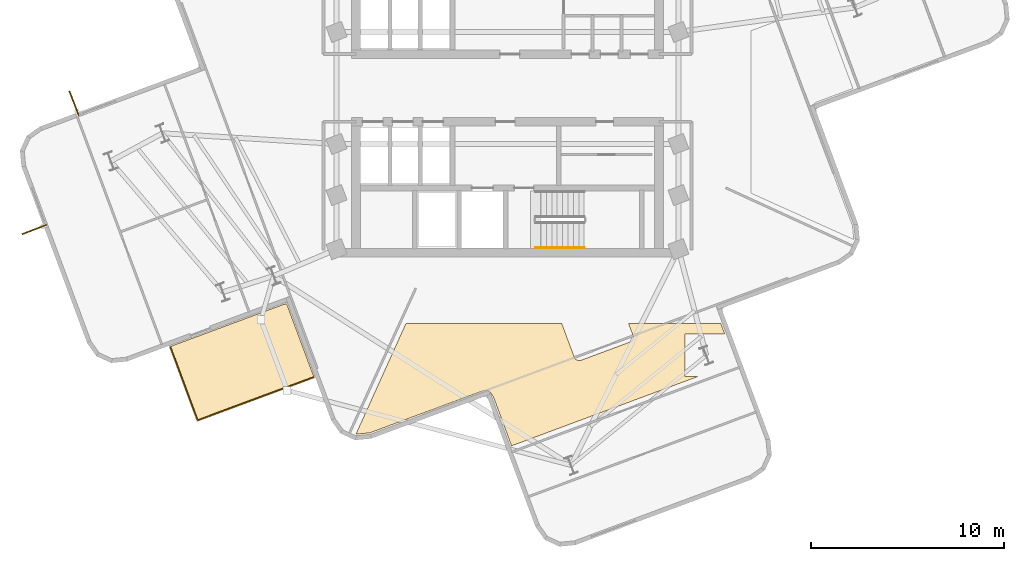
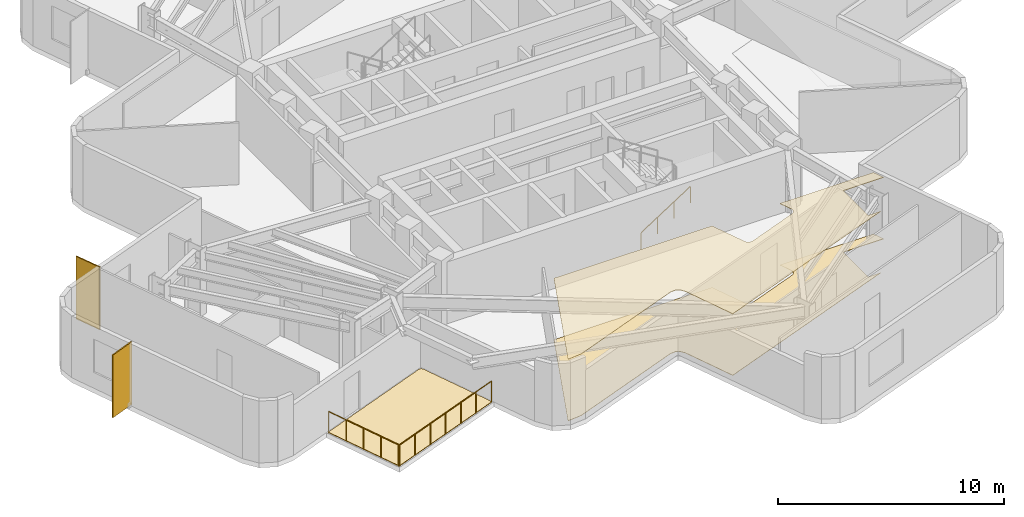
# One storey, part 6 of 8: 3 coverings, 3 railings, 2 shading devices.
"""IFC4 building model written with IfcOpenShell, lengths in metres."""

from ifc_helpers import new_model, si_unit, direction, frame, origin, origin_2d, place, context, subcontext, project, spatial, polyline, rectangle, circle, outline, extrude, material, layer, layer_set, type_object, element, save


model = new_model("IFC4")

# Units and contexts
model_context = context("Model", 3, precision=1e-05, world=origin(), true_north=direction((0.0, 1.0)))
body_context = subcontext(model_context, "Body", "Model", "MODEL_VIEW")
ifc_project = project(units=[si_unit("LENGTHUNIT", "METRE"), si_unit("AREAUNIT", "SQUARE_METRE"), si_unit("VOLUMEUNIT", "CUBIC_METRE"), si_unit("PLANEANGLEUNIT", "RADIAN"), si_unit("MASSUNIT", "GRAM", prefix="KILO")], contexts=[model_context])

# Site, building, storey
site_placement = place(None, origin())
site = spatial("IfcSite", under=ifc_project, at=site_placement, CompositionType="ELEMENT")
building_placement = place(site_placement, origin())
building = spatial("IfcBuilding", under=site, at=building_placement, Name="Solmarez Civic Tower", CompositionType="ELEMENT")
storey_placement = place(building_placement, frame((0.0, 0.0, 166.679931640625)))
storey = spatial("IfcBuildingStorey", under=building, at=storey_placement, Name="L44", CompositionType="ELEMENT", Elevation=166.679931640625)

# Coverings
ifc_material_1 = material(Name="Perforated Mineral-Fibre Acoustic Ceiling")
ifc_layer_1 = layer(ifc_material_1, 0.02490234375)
ifc_layer_set_1 = layer_set([ifc_layer_1], Name="Perforated Mineral-Fibre Acoustic Ceiling")
covering_type_1 = type_object("IfcCoveringType", Name="COV-CEIL-ACOUSTIC", PredefinedType="CEILING", material=ifc_layer_set_1)
covering_1_placement = place(storey_placement, frame((0.0, 0.0, 3.315185546875)))
element("IfcCovering", 1, at=covering_1_placement, inside=storey, type_object=covering_type_1, Name="L44 Suspended Acoustic Ceiling 1", PredefinedType="CEILING", context=body_context, shape_type="SweptSolid", body=[
    extrude(outline(polyline([(-1.385009765625, -15.718994140625), (-1.373046875, -15.714111328125), (-1.35009765625, -15.70703125), (-1.326904296875, -15.701904296875), (-1.320068359375, -15.700927734375), (-1.31298828125, -15.699951171875), (-1.302001953125, -15.698974609375), (-1.135009765625, -15.68310546875), (-1.1298828125, -15.68310546875), (-1.112060546875, -15.680908203125), (-1.093994140625, -15.680908203125), (-1.075927734375, -15.68310546875), (-1.06396484375, -15.68408203125), (-1.056884765625, -15.68505859375), (-1.034912109375, -15.68994140625), (-1.027099609375, -15.69189453125), (-1.02001953125, -15.693115234375), (-1.012939453125, -15.695068359375), (-0.986083984375, -15.705078125), (-0.97900390625, -15.7080078125), (-0.9609375, -15.717041015625), (-0.944091796875, -15.72705078125), (-0.931884765625, -15.735107421875), (-0.9130859375, -15.7490234375), (-0.906982421875, -15.75390625), (-0.89208984375, -15.76708984375), (-0.87890625, -15.781982421875), (-0.8740234375, -15.7880859375), (-0.868896484375, -15.7939453125), (-0.85888671875, -15.806884765625), (-0.759033203125, -15.947021484375), (-0.7548828125, -15.952880859375), (-0.7509765625, -15.958984375), (-0.737060546875, -15.98291015625), (-0.73388671875, -15.989013671875), (-0.72900390625, -16.0), (-0.72607421875, -16.007080078125), (-0.721923828125, -16.01708984375), (0.2119140625, -18.528076171875), (9.83203125, -14.949951171875), (9.18994140625, -14.949951171875), (9.18994140625, -12.75), (11.25, -12.75), (11.044921875, -12.199951171875), (6.264892578125, -12.199951171875), (6.492919921875, -12.81396484375), (6.4990234375, -12.8310546875), (6.5029296875, -12.847900390625), (6.50390625, -12.85302734375), (6.5048828125, -12.85791015625), (6.508056640625, -12.87890625), (6.509033203125, -12.90087890625), (6.509033203125, -12.910888671875), (6.508056640625, -12.93505859375), (6.50390625, -12.9580078125), (6.498046875, -12.98095703125), (6.4951171875, -12.989990234375), (6.489990234375, -13.001953125), (6.488037109375, -13.007080078125), (6.48095703125, -13.02294921875), (6.47705078125, -13.031005859375), (6.465087890625, -13.052001953125), (6.450927734375, -13.071044921875), (6.43603515625, -13.089111328125), (6.431884765625, -13.093017578125), (6.425048828125, -13.10009765625), (6.406005859375, -13.115966796875), (6.385986328125, -13.131103515625), (6.3779296875, -13.135986328125), (6.361083984375, -13.14501953125), (6.343017578125, -13.153076171875), (6.337890625, -13.155029296875), (6.3330078125, -13.156982421875), (3.799072265625, -14.10009765625), (3.781982421875, -14.10595703125), (3.764892578125, -14.110107421875), (3.760009765625, -14.111083984375), (3.7548828125, -14.112060546875), (3.73388671875, -14.114990234375), (3.7119140625, -14.115966796875), (3.701904296875, -14.115966796875), (3.677978515625, -14.114990234375), (3.655029296875, -14.111083984375), (3.632080078125, -14.10498046875), (3.623046875, -14.10205078125), (3.611083984375, -14.096923828125), (3.60595703125, -14.094970703125), (3.590087890625, -14.087890625), (3.58203125, -14.083984375), (3.56494140625, -14.074951171875), (3.550048828125, -14.06396484375), (3.534912109375, -14.052978515625), (3.527099609375, -14.0458984375), (3.510986328125, -14.030029296875), (3.49609375, -14.011962890625), (3.492919921875, -14.008056640625), (3.48193359375, -13.992919921875), (3.47705078125, -13.985107421875), (3.468017578125, -13.968017578125), (3.4599609375, -13.949951171875), (3.4580078125, -13.945068359375), (3.4560546875, -13.93994140625), (2.80810546875, -12.199951171875), (-5.263916015625, -12.199951171875), (-7.845947265625, -17.919921875), (-7.839111328125, -17.923095703125), (-7.134033203125, -17.85693359375), (-1.385009765625, -15.718994140625)])), origin(), (0.0, 0.0, 1.0), 0.02490234375),
])
ifc_material_2 = material(Name="Polished Tropical Stone Terrazzo Flooring", Category="masonry")
ifc_layer_2 = layer(ifc_material_2, 0.02001953125)
ifc_layer_set_2 = layer_set([ifc_layer_2], Name="Polished Tropical Stone Terrazzo Flooring")
covering_type_2 = type_object("IfcCoveringType", Name="COV-FLOOR-TERRAZZO", PredefinedType="FLOORING", material=ifc_layer_set_2)
covering_2_placement = place(storey_placement, origin())
element("IfcCovering", 2, at=covering_2_placement, inside=storey, type_object=covering_type_2, Name="L44 Terrazzo Floor Finish 1", PredefinedType="FLOORING", context=body_context, shape_type="SweptSolid", body=[
    extrude(outline(polyline([(-1.385009765625, -15.718994140625), (-1.373046875, -15.714111328125), (-1.35009765625, -15.70703125), (-1.326904296875, -15.701904296875), (-1.320068359375, -15.700927734375), (-1.31298828125, -15.699951171875), (-1.302001953125, -15.698974609375), (-1.135009765625, -15.68310546875), (-1.1298828125, -15.68310546875), (-1.112060546875, -15.680908203125), (-1.093994140625, -15.680908203125), (-1.075927734375, -15.68310546875), (-1.06396484375, -15.68408203125), (-1.056884765625, -15.68505859375), (-1.034912109375, -15.68994140625), (-1.027099609375, -15.69189453125), (-1.02001953125, -15.693115234375), (-1.012939453125, -15.695068359375), (-0.986083984375, -15.705078125), (-0.97900390625, -15.7080078125), (-0.9609375, -15.717041015625), (-0.944091796875, -15.72705078125), (-0.931884765625, -15.735107421875), (-0.9130859375, -15.7490234375), (-0.906982421875, -15.75390625), (-0.89208984375, -15.76708984375), (-0.87890625, -15.781982421875), (-0.8740234375, -15.7880859375), (-0.868896484375, -15.7939453125), (-0.85888671875, -15.806884765625), (-0.759033203125, -15.947021484375), (-0.7548828125, -15.952880859375), (-0.7509765625, -15.958984375), (-0.737060546875, -15.98291015625), (-0.73388671875, -15.989013671875), (-0.72900390625, -16.0), (-0.72607421875, -16.007080078125), (-0.721923828125, -16.01708984375), (0.2119140625, -18.528076171875), (9.83203125, -14.949951171875), (9.18994140625, -14.949951171875), (9.18994140625, -12.75), (11.25, -12.75), (11.044921875, -12.199951171875), (6.264892578125, -12.199951171875), (6.492919921875, -12.81396484375), (6.4990234375, -12.8310546875), (6.5029296875, -12.847900390625), (6.50390625, -12.85302734375), (6.5048828125, -12.85791015625), (6.508056640625, -12.87890625), (6.509033203125, -12.90087890625), (6.509033203125, -12.910888671875), (6.508056640625, -12.93505859375), (6.50390625, -12.9580078125), (6.498046875, -12.98095703125), (6.4951171875, -12.989990234375), (6.489990234375, -13.001953125), (6.488037109375, -13.007080078125), (6.48095703125, -13.02294921875), (6.47705078125, -13.031005859375), (6.465087890625, -13.052001953125), (6.450927734375, -13.071044921875), (6.43603515625, -13.089111328125), (6.431884765625, -13.093017578125), (6.425048828125, -13.10009765625), (6.406005859375, -13.115966796875), (6.385986328125, -13.131103515625), (6.3779296875, -13.135986328125), (6.361083984375, -13.14501953125), (6.343017578125, -13.153076171875), (6.337890625, -13.155029296875), (6.3330078125, -13.156982421875), (3.799072265625, -14.10009765625), (3.781982421875, -14.10595703125), (3.764892578125, -14.110107421875), (3.760009765625, -14.111083984375), (3.7548828125, -14.112060546875), (3.73388671875, -14.114990234375), (3.7119140625, -14.115966796875), (3.701904296875, -14.115966796875), (3.677978515625, -14.114990234375), (3.655029296875, -14.111083984375), (3.632080078125, -14.10498046875), (3.623046875, -14.10205078125), (3.611083984375, -14.096923828125), (3.60595703125, -14.094970703125), (3.590087890625, -14.087890625), (3.58203125, -14.083984375), (3.56494140625, -14.074951171875), (3.550048828125, -14.06396484375), (3.534912109375, -14.052978515625), (3.527099609375, -14.0458984375), (3.510986328125, -14.030029296875), (3.49609375, -14.011962890625), (3.492919921875, -14.008056640625), (3.48193359375, -13.992919921875), (3.47705078125, -13.985107421875), (3.468017578125, -13.968017578125), (3.4599609375, -13.949951171875), (3.4580078125, -13.945068359375), (3.4560546875, -13.93994140625), (2.80810546875, -12.199951171875), (-5.263916015625, -12.199951171875), (-7.845947265625, -17.919921875), (-7.839111328125, -17.923095703125), (-7.134033203125, -17.85693359375), (-1.385009765625, -15.718994140625)])), origin(), (0.0, 0.0, 1.0), 0.02001953125),
])
ifc_material_3 = material(Name="Elastomeric Terrace Waterproofing Membrane")
ifc_layer_3 = layer(ifc_material_3, 0.030029296875)
ifc_layer_set_3 = layer_set([ifc_layer_3], Name="Elastomeric Terrace Waterproofing Membrane")
covering_type_3 = type_object("IfcCoveringType", Name="COV-MEMBRANE-ROOF", PredefinedType="ROOFING", material=ifc_layer_set_3)
covering_3_placement = place(storey_placement, origin())
element("IfcCovering", 3, at=covering_3_placement, inside=storey, type_object=covering_type_3, Name="L44 Balcony Waterproofing SW", PredefinedType="ROOFING", context=body_context, shape_type="SweptSolid", body=[
    extrude(outline(polyline([(-11.387939453125, -11.297119140625), (-11.462890625, -11.193115234375), (-11.591064453125, -11.205078125), (-17.468017578125, -13.389892578125), (-16.047119140625, -17.212890625), (-10.02099609375, -14.972900390625), (-11.387939453125, -11.297119140625)])), origin(), (0.0, 0.0, 1.0), 0.030029296875),
])

# Shading devices
ifc_material_4 = material(Name="Bronze Anodised Aluminium EN AW-6063 T6", Category="aluminium")
ifc_layer_4 = layer(ifc_material_4, 0.06005859375)
ifc_layer_set_4 = layer_set([ifc_layer_4], Name="Bronze Anodised Aluminium EN AW-6063 T6")
shading_device_type = type_object("IfcShadingDeviceType", Name="FIN-BRONZE-Z34", PredefinedType="USERDEFINED", material=ifc_layer_set_4)
for number, where, z_axis, x_axis, name in (
    (4, (-24.49609375, -7.330078125, -0.039794921875), (0.0, 0.0, 1.0), (-0.931748275461, -0.363104876276, 0.0), "L44 Anodised Bronze Solar Fin FIN-L44-01"),
    (5, (-22.43994140625, -0.797119140625, -0.039794921875), (0.0, 0.0, 1.0), (-0.363039827091, 0.931773622693, 0.0), "L44 Anodised Bronze Solar Fin FIN-L44-02"),
):
    element("IfcShadingDevice", number, at=place(storey_placement, frame(where, z_axis=z_axis, x_axis=x_axis)), inside=storey, type_object=shading_device_type, Name=name, ObjectType="FIN", PredefinedType="USERDEFINED", context=body_context, shape_type="SweptSolid", body=[
        extrude(rectangle(XDim=1.35009765625, YDim=0.06005859375, at=origin_2d()), origin(), (0.0, 0.0, 1.0), 3.3798828125),
    ])

# Railings
ifc_material_5 = material(Name="Bronze Anodised Aluminium and Laminated Safety Glass Balustrade", Category="aluminium")
railing_type_1 = type_object("IfcRailingType", Name="GUARD-TERR-1180", PredefinedType="BALUSTRADE", material=ifc_material_5)
railing_1_placement = place(storey_placement, frame((-17.4560546875, -13.423095703125, 0.0)))
element("IfcRailing", 6, at=railing_1_placement, inside=storey, type_object=railing_type_1, Name="L44 Safety Balustrade GRD-BALC-L44-SW-1", PredefinedType="BALUSTRADE", context=body_context, shape_type="SweptSolid", body=[
    extrude(circle(Radius=0.02392578125, at=origin_2d()), frame((0.0, 0.0, 1.15576171875), z_axis=(0.348532133749, -0.937296832249, 0.0), x_axis=(0.937296832249, 0.348532133749, 0.0)), (0.0, 0.0, 1.0), 4.008056640625),
    extrude(circle(Radius=0.02099609375, at=origin_2d()), origin(), (0.0, 0.0, 1.0), 1.1318359375),
    extrude(circle(Radius=0.02099609375, at=origin_2d()), frame((0.34912109375, -0.939208984375, 0.0)), (0.0, 0.0, 1.0), 1.1318359375),
    extrude(circle(Radius=0.02099609375, at=origin_2d()), frame((0.698486328125, -1.87841796875, 0.0)), (0.0, 0.0, 1.0), 1.1318359375),
    extrude(circle(Radius=0.02099609375, at=origin_2d()), frame((1.0478515625, -2.817626953125, 0.0)), (0.0, 0.0, 1.0), 1.1318359375),
    extrude(circle(Radius=0.02099609375, at=origin_2d()), frame((1.39697265625, -3.7568359375, 0.0)), (0.0, 0.0, 1.0), 1.1318359375),
])
railing_2_placement = place(storey_placement, frame((-16.013916015625, -17.200927734375, 0.0)))
element("IfcRailing", 7, at=railing_2_placement, inside=storey, type_object=railing_type_1, Name="L44 Safety Balustrade GRD-BALC-L44-SW-2", PredefinedType="BALUSTRADE", context=body_context, shape_type="SweptSolid", body=[
    extrude(circle(Radius=0.02392578125, at=origin_2d()), frame((0.0, 0.0, 1.15576171875), z_axis=(0.937316374052, 0.348479576065, 0.0), x_axis=(-0.348479576065, 0.937316374052, 0.0)), (0.0, 0.0, 1.0), 6.358642578125),
    extrude(circle(Radius=0.02099609375, at=origin_2d()), origin(), (0.0, 0.0, 1.0), 1.1318359375),
    extrude(circle(Radius=0.02099609375, at=origin_2d()), frame((0.993408203125, 0.369384765625, 0.0)), (0.0, 0.0, 1.0), 1.1318359375),
    extrude(circle(Radius=0.02099609375, at=origin_2d()), frame((1.986572265625, 0.738525390625, 0.0)), (0.0, 0.0, 1.0), 1.1318359375),
    extrude(circle(Radius=0.02099609375, at=origin_2d()), frame((2.97998046875, 1.10791015625, 0.0)), (0.0, 0.0, 1.0), 1.1318359375),
    extrude(circle(Radius=0.02099609375, at=origin_2d()), frame((3.973388671875, 1.477294921875, 0.0)), (0.0, 0.0, 1.0), 1.1318359375),
    extrude(circle(Radius=0.02099609375, at=origin_2d()), frame((4.966552734375, 1.846435546875, 0.0)), (0.0, 0.0, 1.0), 1.1318359375),
    extrude(circle(Radius=0.02099609375, at=origin_2d()), frame((5.9599609375, 2.2158203125, 0.0)), (0.0, 0.0, 1.0), 1.1318359375),
])
ifc_material_6 = material(Name="Brushed Stainless Steel Tube Handrail", Category="steel")
railing_type_2 = type_object("IfcRailingType", Name="HANDRAIL-STAIR-900", PredefinedType="HANDRAIL", material=ifc_material_6)
railing_3_placement = place(storey_placement, frame((1.449951171875, -8.27001953125, 0.18017578125)))
element("IfcRailing", 8, at=railing_3_placement, inside=storey, type_object=railing_type_2, Name="L44 ST-2 stair handrail 1", PredefinedType="HANDRAIL", context=body_context, shape_type="SweptSolid", body=[
    extrude(circle(Radius=0.02392578125, at=origin_2d()), frame((0.0, 0.0, 0.8759765625), z_axis=(0.841199657755, 0.0, 0.540724639528), x_axis=(0.0, 1.0, 0.0)), (0.0, 0.0, 1.0), 2.995849609375),
    extrude(circle(Radius=0.02099609375, at=origin_2d()), origin(), (0.0, 0.0, 1.0), 0.851806640625),
    extrude(circle(Radius=0.02099609375, at=origin_2d()), frame((0.840087890625, 0.0, 0.5400390625)), (0.0, 0.0, 1.0), 0.851806640625),
    extrude(circle(Radius=0.02099609375, at=origin_2d()), frame((1.679931640625, 0.0, 1.079833984375)), (0.0, 0.0, 1.0), 0.851806640625),
    extrude(circle(Radius=0.02099609375, at=origin_2d()), frame((2.52001953125, 0.0, 1.619873046875)), (0.0, 0.0, 1.0), 0.851806640625),
])

save(model, "model.ifc")
